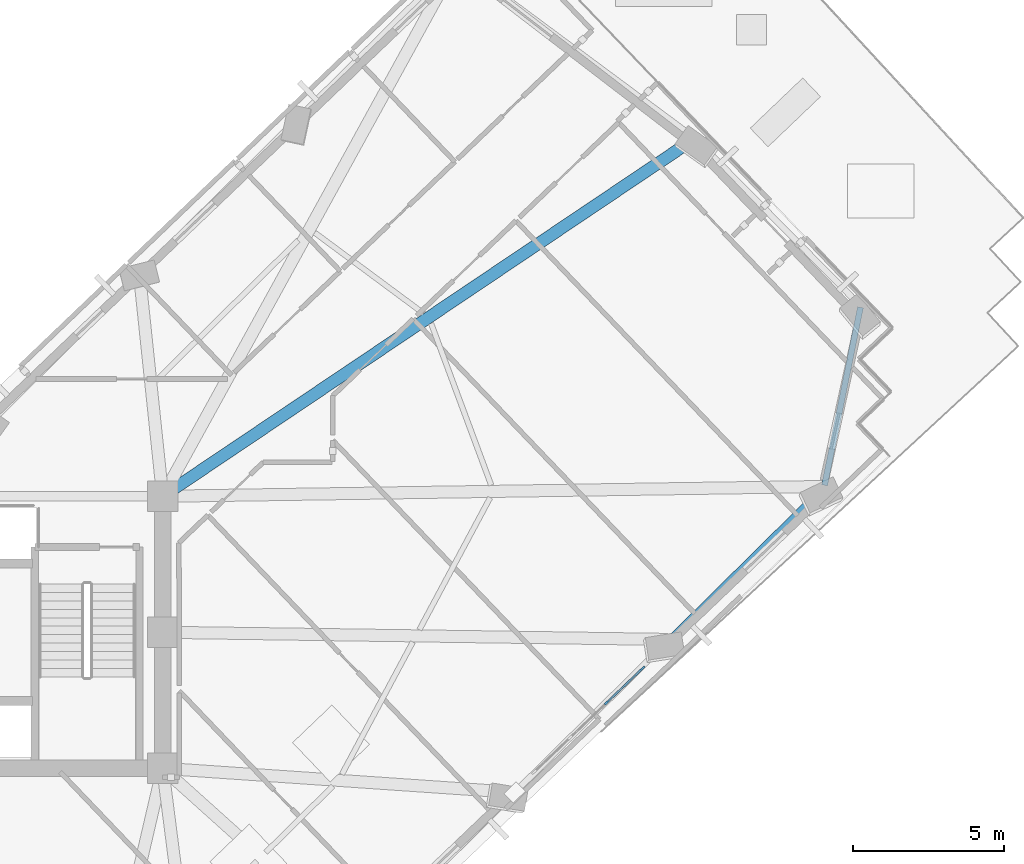
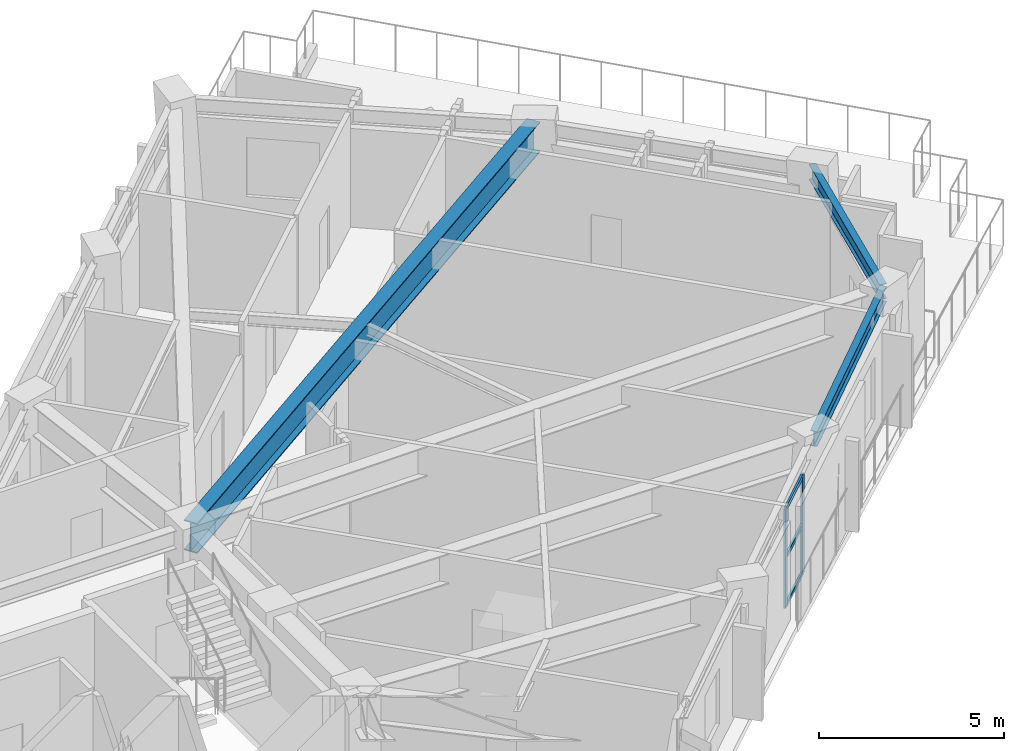
# One storey, part 5 of 17: 5 members, 3 beams, 1 element without a shape of its own.
"""IFC4 building model written with IfcOpenShell, lengths in metres."""

import ifcopenshell
import ifcopenshell.guid

model = None  # the IFC model being written
_history = None  # IfcOwnerHistory: only IFC2X3 demands one
_inside = {}  # id of a spatial element -> (the spatial element, [elements in it])
_under = {}  # id of a project, library or spatial element -> (it, [spatial elements below it])
_declared = {}  # id of a project -> (the project, [libraries it declares])
_typed = {}  # id of a type object -> (the type object, [elements of that type])
_made_of = {}  # id of a material, layer set ... -> (it, [elements and type objects made of it])


def new_model(schema):
    """Start an empty IFC model of exactly this schema.

    Asked for "IFC4X3", IfcOpenShell would pick the latest addendum, in which some entities
    have other attributes; the version numbers below select the first issue.
    IFC2X3 requires an IfcOwnerHistory on every rooted entity: one is made here for all.
    """
    global model, _history
    if schema == "IFC4X3":
        model = ifcopenshell.file(schema_version=(4, 3, 0, 0))
    else:
        model = ifcopenshell.file(schema=schema)
    _inside.clear()
    _under.clear()
    _declared.clear()
    _typed.clear()
    _made_of.clear()
    _history = None
    if model.schema == "IFC2X3":
        org = make("IfcOrganization", Name="unknown")
        user = make(
            "IfcPersonAndOrganization",
            ThePerson=make("IfcPerson", FamilyName="unknown"),
            TheOrganization=org,
        )
        app = make(
            "IfcApplication",
            ApplicationDeveloper=org,
            Version="unknown",
            ApplicationFullName="unknown",
            ApplicationIdentifier="unknown",
        )
        _history = make(
            "IfcOwnerHistory",
            OwningUser=user,
            OwningApplication=app,
            ChangeAction="ADDED",
            CreationDate=0,
        )
    return model


def make(cls, **values):
    """One entity of the class cls with the attributes given. An attribute that is None is left unset."""
    return model.create_entity(
        cls, **{name: value for name, value in values.items() if value is not None}
    )


def rooted(cls, **values):
    """An entity with a GlobalId (a new one), such as an element, a storey or a relation."""
    return make(cls, GlobalId=ifcopenshell.guid.new(), OwnerHistory=_history, **values)


def si_unit(unit_type, name, prefix=None):
    """IfcSIUnit, for example si_unit("LENGTHUNIT", "METRE", prefix="MILLI")."""
    return make("IfcSIUnit", UnitType=unit_type, Prefix=prefix, Name=name)


def assignment(units):
    """IfcUnitAssignment: the units of a project."""
    return None if units is None else make("IfcUnitAssignment", Units=units)


def point(xyz):
    """IfcCartesianPoint."""
    return None if xyz is None else make("IfcCartesianPoint", Coordinates=xyz)


def direction(xyz):
    """IfcDirection."""
    return None if xyz is None else make("IfcDirection", DirectionRatios=xyz)


def frame(location, z_axis=None, x_axis=None):
    """IfcAxis2Placement3D, a coordinate frame: its origin and axes. An axis left out is left unset."""
    return make(
        "IfcAxis2Placement3D",
        Location=point(location),
        Axis=direction(z_axis),
        RefDirection=direction(x_axis),
    )


def frame_2d(location, x_axis=None):
    """IfcAxis2Placement2D, a coordinate frame in the plane: its origin and x axis."""
    return make(
        "IfcAxis2Placement2D", Location=point(location), RefDirection=direction(x_axis)
    )


def origin():
    """The frame at (0, 0, 0) with its axes left unset."""
    return frame((0.0, 0.0, 0.0))


def origin_2d():
    """The frame at (0, 0) in the plane with its x axis left unset."""
    return frame_2d((0.0, 0.0))


def place(relative_to, where):
    """IfcLocalPlacement: puts the frame where relative to a parent placement (None: the world)."""
    return make(
        "IfcLocalPlacement", PlacementRelTo=relative_to, RelativePlacement=where
    )


def context(
    kind, dimensions, precision=None, world=None, true_north=None, identifier=None
):
    """IfcGeometricRepresentationContext, for example the 3D "Model" context."""
    return make(
        "IfcGeometricRepresentationContext",
        ContextIdentifier=identifier,
        ContextType=kind,
        CoordinateSpaceDimension=dimensions,
        Precision=precision,
        WorldCoordinateSystem=world,
        TrueNorth=true_north,
    )


def subcontext(parent, identifier, kind, view, scale=None):
    """IfcGeometricRepresentationSubContext, for example "Body" below "Model"."""
    return make(
        "IfcGeometricRepresentationSubContext",
        ContextIdentifier=identifier,
        ContextType=kind,
        ParentContext=parent,
        TargetScale=scale,
        TargetView=view,
    )


def project(units=None, contexts=None):
    """IfcProject with its units and contexts."""
    return rooted(
        "IfcProject",
        Name="project",
        RepresentationContexts=contexts,
        UnitsInContext=assignment(units),
    )


def spatial(cls, under=None, at=None, **own):
    """A site, building, storey or space (cls), placed at a placement, below another one or the project."""
    s = rooted(cls, ObjectPlacement=at, **own)
    if under is not None:
        _under.setdefault(under.id(), (under, []))[1].append(s)
    return s


def profile(cls, at=None, kind="AREA", **sizes):
    """A parametric profile (cls). Its sizes go by their IFC names, for example OverallWidth=200.0."""
    return make(cls, ProfileType=kind, Position=at, **sizes)


def rectangle(**sizes):
    """IfcRectangleProfileDef."""
    return profile("IfcRectangleProfileDef", **sizes)


def i_section(**sizes):
    """IfcIShapeProfileDef."""
    return profile("IfcIShapeProfileDef", **sizes)


def extrude(swept, where, along, depth):
    """IfcExtrudedAreaSolid: the profile swept, set in the frame where, extruded along a direction by depth."""
    return make(
        "IfcExtrudedAreaSolid",
        SweptArea=swept,
        Position=where,
        ExtrudedDirection=direction(along),
        Depth=depth,
    )


def shape(context_of_items, identifier, shape_type, items):
    """IfcShapeRepresentation: the items that make up one representation, for example the "Body"."""
    return make(
        "IfcShapeRepresentation",
        ContextOfItems=context_of_items,
        RepresentationIdentifier=identifier,
        RepresentationType=shape_type,
        Items=items,
    )


def material(Name=None, Category=None):
    """IfcMaterial."""
    return make("IfcMaterial", Name=Name, Category=Category)


def material_profile(
    of_material, cross_section, Name=None, Category=None, Priority=None
):
    """IfcMaterialProfile: a cross section and its material."""
    return make(
        "IfcMaterialProfile",
        Name=Name,
        Material=of_material,
        Profile=cross_section,
        Priority=Priority,
        Category=Category,
    )


def profile_set(profiles, Name=None, composite=None):
    """IfcMaterialProfileSet."""
    return make(
        "IfcMaterialProfileSet",
        Name=Name,
        MaterialProfiles=profiles,
        CompositeProfile=composite,
    )


def made_of(thing, what):
    """Note that an element or type object is made of a material, layer set ...; save() writes the relation."""
    if what is not None:
        _made_of.setdefault(what.id(), (what, []))[1].append(thing)
    return thing


def type_object(cls, material=None, **own):
    """A type object (cls), such as IfcWallType, which elements share."""
    return made_of(rooted(cls, **own), material)


def element(
    cls,
    number,
    at=None,
    inside=None,
    cuts=None,
    type_object=None,
    material=None,
    context=None,
    identifier="Body",
    shape_type=None,
    held_by="IfcProductDefinitionShape",
    body=None,
    shapes=None,
    **own,
):
    """One element of the class cls, such as IfcWall. Its Tag is "e" and its number.

    at: its placement. inside: the storey or other place that contains it. cuts: it is an
    opening in that element (IfcRelVoidsElement). A single representation is given by context,
    identifier, shape_type and body (its items); several are given by shapes. held_by: the class
    of the entity that holds the representations. save() writes the other relations.
    """
    e = rooted(cls, Tag="e%d" % number, ObjectPlacement=at, **own)
    if body is not None:
        shapes = [shape(context, identifier, shape_type, body)]
    if shapes is not None:
        e.Representation = make(held_by, Representations=shapes)
    if inside is not None:
        _inside.setdefault(inside.id(), (inside, []))[1].append(e)
    if cuts is not None:
        rooted(
            "IfcRelVoidsElement", RelatingBuildingElement=cuts, RelatedOpeningElement=e
        )
    if type_object is not None:
        _typed.setdefault(type_object.id(), (type_object, []))[1].append(e)
    return made_of(e, material)


def aggregate(whole, parts):
    """IfcRelAggregates: a whole, such as a stair, and the parts it consists of."""
    return rooted("IfcRelAggregates", RelatingObject=whole, RelatedObjects=parts)


def save(model, path):
    """Write the relations noted so far, then the file.

    IfcRelAggregates (storeys below a building ...), IfcRelContainedInSpatialStructure (elements
    in a storey), IfcRelDefinesByType, IfcRelAssociatesMaterial and IfcRelDeclares: one each for
    every whole, place, type object, material and project.
    """
    for whole, parts in _under.values():
        aggregate(whole, parts)
    for where, things in _inside.values():
        rooted(
            "IfcRelContainedInSpatialStructure",
            RelatedElements=things,
            RelatingStructure=where,
        )
    for kind, things in _typed.values():
        rooted("IfcRelDefinesByType", RelatedObjects=things, RelatingType=kind)
    for what, things in _made_of.values():
        rooted("IfcRelAssociatesMaterial", RelatedObjects=things, RelatingMaterial=what)
    for by, libraries in _declared.values():
        rooted("IfcRelDeclares", RelatingContext=by, RelatedDefinitions=libraries)
    model.write(path)


model = new_model("IFC4")

# Units and contexts
model_context = context("Model", 3, precision=1e-05, world=origin(), true_north=direction((0.0, 1.0)))
body_context = subcontext(model_context, "Body", "Model", "MODEL_VIEW")
ifc_project = project(units=[si_unit("LENGTHUNIT", "METRE"), si_unit("AREAUNIT", "SQUARE_METRE"), si_unit("VOLUMEUNIT", "CUBIC_METRE"), si_unit("PLANEANGLEUNIT", "RADIAN"), si_unit("MASSUNIT", "GRAM", prefix="KILO")], contexts=[model_context])

# Site, building, storey
site_placement = place(None, origin())
site = spatial("IfcSite", under=ifc_project, at=site_placement, CompositionType="ELEMENT")
building_placement = place(site_placement, origin())
building = spatial("IfcBuilding", under=site, at=building_placement, Name="Gaonmaruhae Medical Tower", CompositionType="ELEMENT")
storey_placement = place(building_placement, frame((0.0, 0.0, 211.199951171875)))
storey = spatial("IfcBuildingStorey", under=building, at=storey_placement, Name="L50", CompositionType="ELEMENT", Elevation=211.199951171875)

# Beam
ifc_material_1 = material(Name="Steel SM420", Category="steel")
ifc_material_profile_1 = material_profile(ifc_material_1, i_section(OverallWidth=0.39990234375, OverallDepth=1.0, WebThickness=0.02197265625, FlangeThickness=0.035888671875, at=origin_2d()), Name="BH-1000x400x22x36")
ifc_profile_set_1 = profile_set([ifc_material_profile_1], Name="Steel SM420")
beam_type_1 = type_object("IfcBeamType", Name="BG-02 Refuge Floor Primary Girder (BH-1000x400x22x36)", PredefinedType="BEAM", material=ifc_profile_set_1)
beam_1_placement = place(storey_placement, frame((35.6416015625, 16.827880859375, 3.280029296875), z_axis=(0.829877912901, 0.557945023887, 0.0), x_axis=(-0.557945023887, 0.829877912901, 0.0)))
element("IfcBeam", 1, at=beam_1_placement, inside=storey, type_object=beam_type_1, Name="L50 Radial Primary Girder E02", PredefinedType="BEAM", context=body_context, shape_type="SweptSolid", body=[
    extrude(i_section(OverallWidth=0.39990234375, OverallDepth=1.0, WebThickness=0.02197265625, FlangeThickness=0.035888671875, at=origin_2d()), origin(), (0.0, 0.0, 1.0), 21.12060546875),
])

# Curtain wall, members
ifc_material_2 = material(Name="Anodised aluminium and Low-E double glazing", Category="aluminium")
curtain_wall_type = type_object("IfcCurtainWallType", Name="CW-S4 Setback Sky Garden Wintergarden Curtain Wall", PredefinedType="NOTDEFINED", material=ifc_material_2)
curtain_wall_placement = place(storey_placement, origin())
curtain_wall = element("IfcCurtainWall", 2, at=curtain_wall_placement, inside=storey, type_object=curtain_wall_type, Name="L50 Curtain Wall CW-L50-S04", PredefinedType="NOTDEFINED")
ifc_material_3 = material(Name="Anodised aluminium 6063-T6", Category="aluminium")
ifc_material_profile_2 = material_profile(ifc_material_3, rectangle(XDim=0.06494140625, YDim=0.179931640625, at=origin_2d()), Name="CWM-65x180")
ifc_profile_set_2 = profile_set([ifc_material_profile_2], Name="Anodised aluminium 6063-T6")
member_type_1 = type_object("IfcMemberType", Name="CWM-2 Tower Feature Curtain Wall Mullion (CWM-65x180)", PredefinedType="MULLION", material=ifc_profile_set_2)
member_1_placement = place(storey_placement, frame((51.47705078125, 11.107666015625, 0.0), z_axis=(0.0, 0.0, 1.0), x_axis=(0.690885971206, -0.72296374376, 0.0)))
member_1 = element("IfcMember", 3, at=member_1_placement, type_object=member_type_1, Name="CW-S4 mullion 1", PredefinedType="MULLION", context=body_context, shape_type="SweptSolid", body=[
    extrude(rectangle(XDim=0.06494140625, YDim=0.179931640625, at=origin_2d()), origin(), (0.0, 0.0, 1.0), 3.26513671875),
])
member_2_placement = place(storey_placement, frame((50.28955078125, 9.972900390625, 0.0), z_axis=(0.0, 0.0, 1.0), x_axis=(0.690885971206, -0.72296374376, 0.0)))
member_2 = element("IfcMember", 4, at=member_2_placement, type_object=member_type_1, Name="CW-S4 mullion 2", PredefinedType="MULLION", context=body_context, shape_type="SweptSolid", body=[
    extrude(rectangle(XDim=0.06494140625, YDim=0.179931640625, at=origin_2d()), origin(), (0.0, 0.0, 1.0), 3.26513671875),
])
ifc_material_profile_3 = material_profile(ifc_material_3, rectangle(XDim=0.06494140625, YDim=0.139892578125, at=origin_2d()), Name="CWT-65x140")
ifc_profile_set_3 = profile_set([ifc_material_profile_3], Name="Anodised aluminium 6063-T6")
member_type_2 = type_object("IfcMemberType", Name="CWT-2 Tower Feature Curtain Wall Transom (CWT-65x140)", PredefinedType="USERDEFINED", material=ifc_profile_set_3)
member_3_placement = place(storey_placement, frame((51.45361328125, 11.085205078125, 0.032470703125), z_axis=(-0.723018174281, -0.690829008988, 0.0), x_axis=(0.690829008988, -0.723018174281, 0.0)))
member_3 = element("IfcMember", 5, at=member_3_placement, type_object=member_type_2, Name="CW-S4 transom 1.1", ObjectType="TRANSOM", PredefinedType="USERDEFINED", context=body_context, shape_type="SweptSolid", body=[
    extrude(rectangle(XDim=0.06494140625, YDim=0.139892578125, at=origin_2d()), origin(), (0.0, 0.0, 1.0), 1.57763671875),
])
member_4_placement = place(storey_placement, frame((51.45361328125, 11.085205078125, 1.632568359375), z_axis=(-0.723018174281, -0.690829008988, 0.0), x_axis=(0.690829008988, -0.723018174281, 0.0)))
member_4 = element("IfcMember", 6, at=member_4_placement, type_object=member_type_2, Name="CW-S4 transom 1.2", ObjectType="TRANSOM", PredefinedType="USERDEFINED", context=body_context, shape_type="SweptSolid", body=[
    extrude(rectangle(XDim=0.06494140625, YDim=0.139892578125, at=origin_2d()), origin(), (0.0, 0.0, 1.0), 1.57763671875),
])
member_5_placement = place(storey_placement, frame((51.45361328125, 11.085205078125, 3.232666015625), z_axis=(-0.723018174281, -0.690829008988, 0.0), x_axis=(0.690829008988, -0.723018174281, 0.0)))
member_5 = element("IfcMember", 7, at=member_5_placement, type_object=member_type_2, Name="CW-S4 transom 1.3", ObjectType="TRANSOM", PredefinedType="USERDEFINED", context=body_context, shape_type="SweptSolid", body=[
    extrude(rectangle(XDim=0.06494140625, YDim=0.139892578125, at=origin_2d()), origin(), (0.0, 0.0, 1.0), 1.57763671875),
])
aggregate(curtain_wall, [member_1, member_2, member_3, member_4, member_5])

# Beams
ifc_material_4 = material(Name="Steel SM355", Category="steel")
ifc_material_profile_4 = material_profile(ifc_material_4, i_section(OverallWidth=0.199951171875, OverallDepth=0.5, WebThickness=0.010009765625, FlangeThickness=0.01611328125, FilletRadius=0.012939453125, at=origin_2d()), Name="H-500x200x10x16")
ifc_profile_set_4 = profile_set([ifc_material_profile_4], Name="Steel SM355")
beam_type_2 = type_object("IfcBeamType", Name="SP-02 Upper Perimeter Spandrel Beam (H-500x200x10x16)", PredefinedType="SPANDREL", material=ifc_profile_set_4)
beam_2_placement = place(storey_placement, frame((52.3955078125, 12.09130859375, 3.530029296875), z_axis=(0.71139697486, 0.702790398454, 0.0), x_axis=(-0.702790398454, 0.71139697486, 0.0)))
element("IfcBeam", 8, at=beam_2_placement, inside=storey, type_object=beam_type_2, Name="L50 Perimeter Spandrel Beam S05-S06", PredefinedType="SPANDREL", context=body_context, shape_type="SweptSolid", body=[
    extrude(i_section(OverallWidth=0.199951171875, OverallDepth=0.5, WebThickness=0.010009765625, FlangeThickness=0.01611328125, FilletRadius=0.012939453125, at=origin_2d()), origin(), (0.0, 0.0, 1.0), 7.1201171875),
])
beam_3_placement = place(storey_placement, frame((57.4970703125, 17.162353515625, 3.530029296875), z_axis=(0.197616338051, 0.980279441249, 0.0), x_axis=(-0.980279441249, 0.197616338051, 0.0)))
element("IfcBeam", 9, at=beam_3_placement, inside=storey, type_object=beam_type_2, Name="L50 Perimeter Spandrel Beam S06-E01", PredefinedType="SPANDREL", context=body_context, shape_type="SweptSolid", body=[
    extrude(i_section(OverallWidth=0.199951171875, OverallDepth=0.5, WebThickness=0.010009765625, FlangeThickness=0.01611328125, FilletRadius=0.012939453125, at=origin_2d()), origin(), (0.0, 0.0, 1.0), 6.0078125),
])

save(model, "model.ifc")
